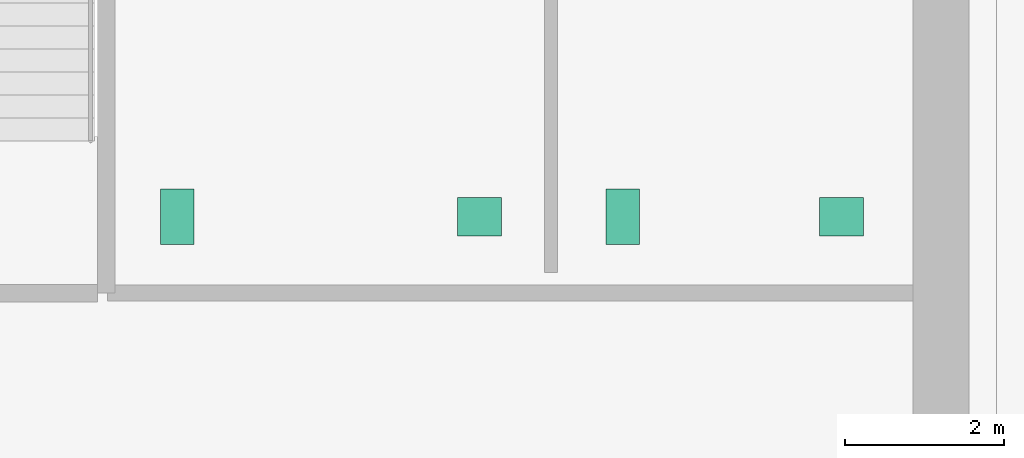
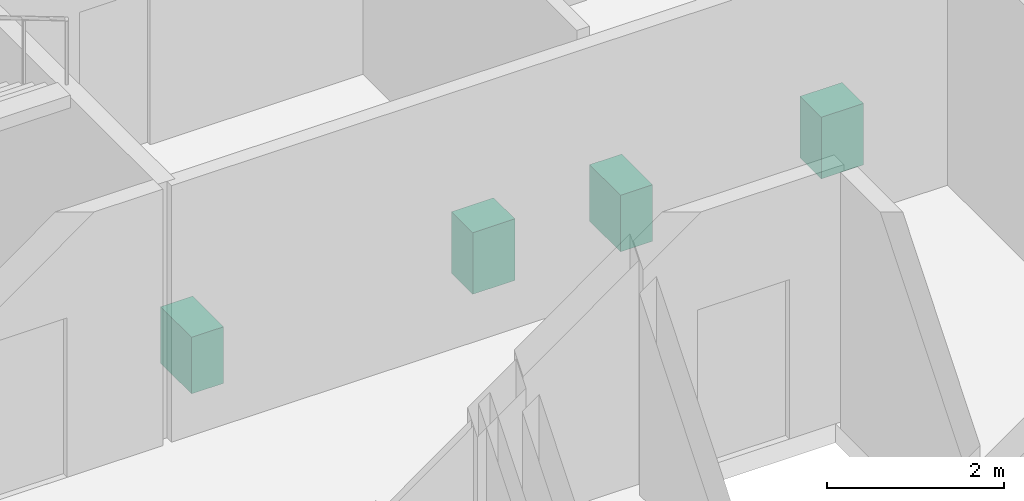
# One storey, part 13 of 13: 4 sanitary terminals.
"""IFC4 building model written with IfcOpenShell, lengths in metres."""

from ifc_helpers import new_model, si_unit, direction, frame, origin, origin_2d, place, context, subcontext, project, spatial, rectangle, extrude, material, type_object, element, save


model = new_model("IFC4")

# Units and contexts
model_context = context("Model", 3, precision=1e-05, world=origin(), true_north=direction((0.0, 1.0)))
body_context = subcontext(model_context, "Body", "Model", "MODEL_VIEW")
ifc_project = project(units=[si_unit("LENGTHUNIT", "METRE"), si_unit("AREAUNIT", "SQUARE_METRE"), si_unit("VOLUMEUNIT", "CUBIC_METRE"), si_unit("PLANEANGLEUNIT", "RADIAN"), si_unit("MASSUNIT", "GRAM", prefix="KILO")], contexts=[model_context])

# Site, building, storey
site_placement = place(None, origin())
site = spatial("IfcSite", under=ifc_project, at=site_placement, CompositionType="ELEMENT")
building_placement = place(site_placement, origin())
building = spatial("IfcBuilding", under=site, at=building_placement, Name="Norrvale University Quadrangle", CompositionType="ELEMENT")
storey_placement = place(building_placement, frame((0.0, 0.0, 159.800048828125)))
storey = spatial("IfcBuildingStorey", under=building, at=storey_placement, Name="L40", CompositionType="ELEMENT", Elevation=159.800048828125)

# Sanitary terminals
ifc_material = material(Name="Vitreous China Sanitaryware")
sanitary_terminal_type_1 = type_object("IfcSanitaryTerminalType", Name="Sanitary Wash Basin", PredefinedType="WASHHANDBASIN", material=ifc_material)
for number, where, z_axis, x_axis, name in (
    (1, (11.0, 41.10009765625, 0.0), (0.0, 0.0, 1.0), (1.0, 0.0, 0.0), "Accessible Countertop Washbasin L40-1"),
    (2, (15.550048828125, 41.10009765625, 0.0), (0.0, 0.0, 1.0), (1.0, 0.0, 0.0), "Accessible Countertop Washbasin L40-2"),
):
    element("IfcSanitaryTerminal", number, at=place(storey_placement, frame(where, z_axis=z_axis, x_axis=x_axis)), inside=storey, type_object=sanitary_terminal_type_1, Name=name, PredefinedType="WASHHANDBASIN", context=body_context, shape_type="SweptSolid", body=[
        extrude(rectangle(XDim=0.550048828125, YDim=0.47998046875, at=origin_2d()), origin(), (0.0, 0.0, 1.0), 0.85009765625),
    ])
sanitary_terminal_type_2 = type_object("IfcSanitaryTerminalType", Name="Sanitary Water Closet", PredefinedType="TOILETPAN", material=ifc_material)
for number, where, z_axis, x_axis, name in (
    (3, (7.199951171875, 41.10009765625, 0.0), (0.0, 0.0, 1.0), (1.0, 0.0, 0.0), "Wall-Hung Water Closet L40-1"),
    (4, (12.800048828125, 41.10009765625, 0.0), (0.0, 0.0, 1.0), (1.0, 0.0, 0.0), "Wall-Hung Water Closet L40-2"),
):
    element("IfcSanitaryTerminal", number, at=place(storey_placement, frame(where, z_axis=z_axis, x_axis=x_axis)), inside=storey, type_object=sanitary_terminal_type_2, Name=name, PredefinedType="TOILETPAN", context=body_context, shape_type="SweptSolid", body=[
        extrude(rectangle(XDim=0.419921875, YDim=0.699951171875, at=origin_2d()), origin(), (0.0, 0.0, 1.0), 0.780029296875),
    ])

save(model, "model.ifc")
